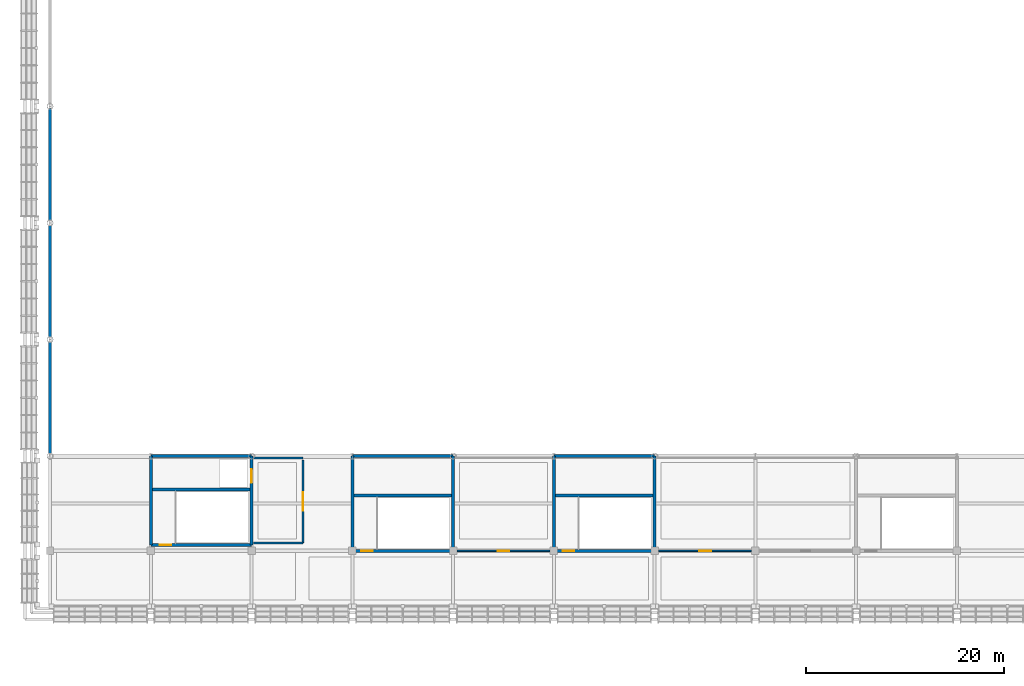
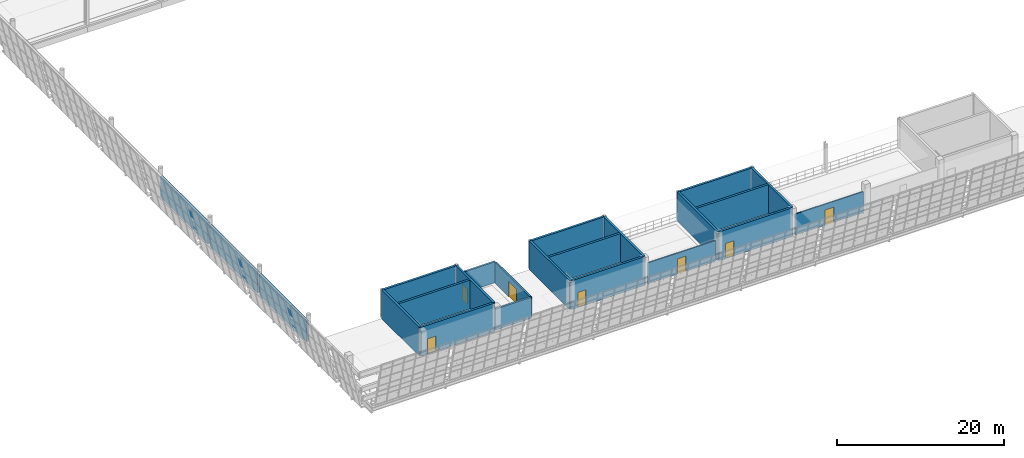
# One storey, part 124 of 157: 23 walls, 7 doors, 7 openings.
"""IFC4 building model written with IfcOpenShell, lengths in metres."""

from ifc_helpers import new_model, si_unit, direction, frame, frame_2d, origin, place, context, subcontext, project, spatial, rectangle, extrude, material, layer, layer_set, type_object, element, fill, save


model = new_model("IFC4")

# Units and contexts
model_context = context("Model", 3, precision=1e-05, world=origin(), true_north=direction((0.0, 1.0)))
body_context = subcontext(model_context, "Body", "Model", "MODEL_VIEW")
ifc_project = project(units=[si_unit("LENGTHUNIT", "METRE"), si_unit("AREAUNIT", "SQUARE_METRE"), si_unit("VOLUMEUNIT", "CUBIC_METRE"), si_unit("PLANEANGLEUNIT", "RADIAN"), si_unit("MASSUNIT", "GRAM", prefix="KILO")], contexts=[model_context])

# Site, building, storey
site_placement = place(None, origin())
site = spatial("IfcSite", under=ifc_project, at=site_placement, CompositionType="ELEMENT")
building_placement = place(site_placement, origin())
building = spatial("IfcBuilding", under=site, at=building_placement, Name="Brelvane Convention Centre", CompositionType="ELEMENT")
storey_placement = place(building_placement, frame((0.0, 0.0, 10.800048828125)))
storey = spatial("IfcBuildingStorey", under=building, at=storey_placement, Name="L02", CompositionType="ELEMENT", Elevation=10.800048828125)

# Walls
ifc_material_1 = material(Name="Concrete M40", Category="concrete")
ifc_layer_1 = layer(ifc_material_1, 0.2900390625)
ifc_layer_set_1 = layer_set([ifc_layer_1], Name="Concrete M40")
wall_type_1 = type_object("IfcWallType", Name="Exterior Wall EW-08", PredefinedType="SOLIDWALL", material=ifc_layer_set_1)
wall_1_placement = place(storey_placement, frame((0.0, 29.0400390625, 0.0), z_axis=(0.0, 0.0, 1.0), x_axis=(0.0, 1.0, 0.0)))
element("IfcWall", 1, at=wall_1_placement, inside=storey, type_object=wall_type_1, Name="Exterior Wall L02 V1W-L02-1", PredefinedType="SOLIDWALL", context=body_context, shape_type="SweptSolid", body=[
    extrude(rectangle(XDim=11.320068359375, YDim=0.2900390625, at=frame_2d((5.66015625, 0.0))), origin(), (0.0, 0.0, 1.0), 3.06005859375),
])
wall_2_placement = place(storey_placement, frame((0.0, 40.840087890625, 0.0), z_axis=(0.0, 0.0, 1.0), x_axis=(0.0, 1.0, 0.0)))
element("IfcWall", 2, at=wall_2_placement, inside=storey, type_object=wall_type_1, Name="Exterior Wall L02 V1W-L02-2", PredefinedType="SOLIDWALL", context=body_context, shape_type="SweptSolid", body=[
    extrude(rectangle(XDim=11.31982421875, YDim=0.2900390625, at=frame_2d((5.659912109375, 0.0))), origin(), (0.0, 0.0, 1.0), 3.06005859375),
])
wall_3_placement = place(storey_placement, frame((0.0, 52.639892578125, 0.0), z_axis=(0.0, 0.0, 1.0), x_axis=(0.0, 1.0, 0.0)))
element("IfcWall", 3, at=wall_3_placement, inside=storey, type_object=wall_type_1, Name="Exterior Wall L02 V1W-L02-3", PredefinedType="SOLIDWALL", context=body_context, shape_type="SweptSolid", body=[
    extrude(rectangle(XDim=11.320068359375, YDim=0.2900390625, at=frame_2d((5.66015625, 0.0))), origin(), (0.0, 0.0, 1.0), 3.06005859375),
])

# Wall, opening, door
ifc_material_2 = material(Name="Fire-Rated Acoustic Gypsum Partition Board Grade A")
ifc_layer_2 = layer(ifc_material_2, 0.14501953125)
ifc_layer_set_2 = layer_set([ifc_layer_2], Name="Fire-Rated Acoustic Gypsum Partition Board Grade A")
wall_type_2 = type_object("IfcWallType", Name="Interior Wall IW-AC-145", PredefinedType="PARTITIONING", material=ifc_layer_set_2)
wall_4_placement = place(storey_placement, frame((61.60009765625, 19.199951171875, 0.0), z_axis=(0.0, 0.0, 1.0), x_axis=(1.0, 0.0, 0.0)))
wall_4 = element("IfcWall", 4, at=wall_4_placement, inside=storey, type_object=wall_type_2, Name="Interior Partition L02-TVST", PredefinedType="PARTITIONING", context=body_context, shape_type="SweptSolid", body=[
    extrude(rectangle(XDim=9.39990234375, YDim=0.14501953125, at=frame_2d((4.699951171875, 0.0))), origin(), (0.0, 0.0, 1.0), 3.06005859375),
])
opening_1_placement = place(wall_4_placement, frame((4.090087890625, 0.0, 0.0)))
opening_1 = element("IfcOpeningElement", 5, at=opening_1_placement, cuts=wall_4, Name="Opening DR-IN-14R", PredefinedType="OPENING", context=body_context, shape_type="SweptSolid", body=[
    extrude(rectangle(XDim=1.219970703125, YDim=2.219970703125, at=frame_2d((0.60986328125, 1.10986328125))), frame((0.0, 0.08251953125, 0.0), z_axis=(0.0, -1.0, 0.0), x_axis=(1.0, 0.0, 0.0)), (0.0, 0.0, 1.0), 0.1650390625),
])
ifc_material_3 = material(Name="Galvanised Hollow-Metal Fire Door Steel E250", Category="steel")
door_type_1 = type_object("IfcDoorType", Name="Interior Door DR-IN-14R", OperationType="NOTDEFINED", PredefinedType="DOOR", material=ifc_material_3)
door_1_placement = place(opening_1_placement, origin())
door_1 = element("IfcDoor", 6, at=door_1_placement, inside=storey, type_object=door_type_1, Name="Interior Door L02-TVST (DR-IN-14R)", OperationType="SINGLE_SWING_RIGHT", OverallHeight=2.219970703125, OverallWidth=1.219970703125, PredefinedType="DOOR", context=body_context, shape_type="SweptSolid", body=[
    extrude(rectangle(XDim=1.219970703125, YDim=2.219970703125, at=frame_2d((0.60986328125, 1.10986328125))), frame((0.0, 0.02490234375, 0.0), z_axis=(0.0, -1.0, 0.0), x_axis=(1.0, 0.0, 0.0)), (0.0, 0.0, 1.0), 0.050048828125),
])
fill(opening_1, door_1)

ifc_material_4 = material(Name="Fire-Rated Acoustic Gypsum Partition Board Grade A")
ifc_layer_3 = layer(ifc_material_4, 0.155029296875)
ifc_layer_set_3 = layer_set([ifc_layer_3], Name="Fire-Rated Acoustic Gypsum Partition Board Grade A")
wall_type_3 = type_object("IfcWallType", Name="Interior Wall IW-AC-155", PredefinedType="PARTITIONING", material=ifc_layer_set_3)
wall_5_placement = place(storey_placement, frame((41.199951171875, 19.199951171875, 0.0), z_axis=(0.0, 0.0, 1.0), x_axis=(1.0, 0.0, 0.0)))
wall_5 = element("IfcWall", 7, at=wall_5_placement, inside=storey, type_object=wall_type_3, Name="Interior Partition L02-PRSW", PredefinedType="PARTITIONING", context=body_context, shape_type="SweptSolid", body=[
    extrude(rectangle(XDim=9.400146484375, YDim=0.155029296875, at=frame_2d((4.7001953125, 0.0))), origin(), (0.0, 0.0, 1.0), 3.06005859375),
])
opening_2_placement = place(wall_5_placement, frame((4.110107421875, 0.0, 0.0)))
opening_2 = element("IfcOpeningElement", 8, at=opening_2_placement, cuts=wall_5, Name="Opening DR-IN-14L", PredefinedType="OPENING", context=body_context, shape_type="SweptSolid", body=[
    extrude(rectangle(XDim=1.179931640625, YDim=2.219970703125, at=frame_2d((0.58984375, 1.10986328125))), frame((0.0, 0.08740234375, 0.0), z_axis=(0.0, -1.0, 0.0), x_axis=(1.0, 0.0, 0.0)), (0.0, 0.0, 1.0), 0.175048828125),
])
ifc_material_5 = material(Name="Galvanised Hollow-Metal Fire Door Steel E250", Category="steel")
door_type_2 = type_object("IfcDoorType", Name="Interior Door DR-IN-14L", OperationType="NOTDEFINED", PredefinedType="DOOR", material=ifc_material_5)
door_2_placement = place(opening_2_placement, origin())
door_2 = element("IfcDoor", 9, at=door_2_placement, inside=storey, type_object=door_type_2, Name="Interior Door L02-PRSW (DR-IN-14L)", OperationType="SINGLE_SWING_LEFT", OverallHeight=2.219970703125, OverallWidth=1.179931640625, PredefinedType="DOOR", context=body_context, shape_type="SweptSolid", body=[
    extrude(rectangle(XDim=1.179931640625, YDim=2.219970703125, at=frame_2d((0.58984375, 1.10986328125))), frame((0.0, 0.02490234375, 0.0), z_axis=(0.0, -1.0, 0.0), x_axis=(1.0, 0.0, 0.0)), (0.0, 0.0, 1.0), 0.050048828125),
])
fill(opening_2, door_2)

ifc_material_6 = material(Name="Concrete M40", Category="concrete")
ifc_layer_4 = layer(ifc_material_6, 0.239990234375)
ifc_layer_set_4 = layer_set([ifc_layer_4], Name="Concrete M40")
wall_type_4 = type_object("IfcWallType", Name="Interior Wall IW-FR-240", PredefinedType="PARTITIONING", material=ifc_layer_set_4)
wall_6_placement = place(storey_placement, frame((25.60009765625, 20.0, 0.0), z_axis=(0.0, 0.0, 1.0), x_axis=(0.0, 1.0, 0.0)))
wall_6 = element("IfcWall", 10, at=wall_6_placement, inside=storey, type_object=wall_type_4, Name="Firefighting Lobby C1 Wall E (L02)", PredefinedType="PARTITIONING", context=body_context, shape_type="SweptSolid", body=[
    extrude(rectangle(XDim=8.39990234375, YDim=0.239990234375, at=frame_2d((4.199951171875, 0.0))), origin(), (0.0, 0.0, 1.0), 3.06005859375),
])
opening_3_placement = place(wall_6_placement, frame((3.25, 0.0, 0.0)))
opening_3 = element("IfcOpeningElement", 11, at=opening_3_placement, cuts=wall_6, Name="Opening DR-FL-01", PredefinedType="OPENING", context=body_context, shape_type="SweptSolid", body=[
    extrude(rectangle(XDim=1.89990234375, YDim=2.25, at=frame_2d((0.949951171875, 1.125))), frame((0.0, 0.1298828125, 0.0), z_axis=(0.0, -1.0, 0.0), x_axis=(1.0, 0.0, 0.0)), (0.0, 0.0, 1.0), 0.260009765625),
])
ifc_material_7 = material(Name="Galvanised Hollow-Metal Fire Door Steel E250", Category="steel")
door_type_3 = type_object("IfcDoorType", Name="Interior Door DR-FL-01", OperationType="NOTDEFINED", PredefinedType="DOOR", material=ifc_material_7)
door_3_placement = place(opening_3_placement, origin())
door_3 = element("IfcDoor", 12, at=door_3_placement, inside=storey, type_object=door_type_3, Name="Firefighting Lobby C1 Smoke Door (L02)", OperationType="DOUBLE_DOOR_SINGLE_SWING", OverallHeight=2.25, OverallWidth=1.89990234375, PredefinedType="DOOR", context=body_context, shape_type="SweptSolid", body=[
    extrude(rectangle(XDim=1.89990234375, YDim=2.25, at=frame_2d((0.949951171875, 1.125))), frame((0.0, 0.02490234375, 0.0), z_axis=(0.0, -1.0, 0.0), x_axis=(1.0, 0.0, 0.0)), (0.0, 0.0, 1.0), 0.050048828125),
])
fill(opening_3, door_3)

# Walls
for number, where, z_axis, x_axis, name in (
    (13, (20.60009765625, 28.60009765625, 0.0), (0.0, 0.0, 1.0), (1.0, 0.0, 0.0), "Firefighting Lobby C1 Wall N (L02)"),
    (14, (20.60009765625, 20.0, 0.0), (0.0, 0.0, 1.0), (1.0, 0.0, 0.0), "Firefighting Lobby C1 Wall S (L02)"),
):
    element("IfcWall", number, at=place(storey_placement, frame(where, z_axis=z_axis, x_axis=x_axis)), inside=storey, type_object=wall_type_4, Name=name, PredefinedType="PARTITIONING", context=body_context, shape_type="SweptSolid", body=[
        extrude(rectangle(XDim=5.0, YDim=0.239990234375, at=frame_2d((2.5, 0.0))), origin(), (0.0, 0.0, 1.0), 3.06005859375),
    ])

# Wall, opening, door
ifc_material_8 = material(Name="Concrete M50", Category="concrete")
ifc_layer_5 = layer(ifc_material_8, 0.300048828125)
ifc_layer_set_5 = layer_set([ifc_layer_5], Name="Concrete M50")
wall_type_5 = type_object("IfcWallType", Name="Structural Wall WL-CORE-300", PredefinedType="SHEAR", material=ifc_layer_set_5)
wall_7_placement = place(storey_placement, frame((10.199951171875, 19.800048828125, 0.0), z_axis=(0.0, 0.0, 1.0), x_axis=(1.0, 0.0, 0.0)))
wall_7 = element("IfcWall", 15, at=wall_7_placement, inside=storey, type_object=wall_type_5, Name="Core C1 Shear Wall S (L02)", PredefinedType="SHEAR", context=body_context, shape_type="SweptSolid", body=[
    extrude(rectangle(XDim=10.199951171875, YDim=0.300048828125, at=frame_2d((5.10009765625, 0.0))), origin(), (0.0, 0.0, 1.0), 4.199951171875),
])
opening_4_placement = place(wall_7_placement, frame((0.919921875, 0.0, 0.0)))
opening_4 = element("IfcOpeningElement", 16, at=opening_4_placement, cuts=wall_7, Name="Opening DR-IN-04L", PredefinedType="OPENING", context=body_context, shape_type="SweptSolid", body=[
    extrude(rectangle(XDim=1.159912109375, YDim=2.199951171875, at=frame_2d((0.580078125, 1.10009765625))), frame((0.0, 0.159912109375, 0.0), z_axis=(0.0, -1.0, 0.0), x_axis=(1.0, 0.0, 0.0)), (0.0, 0.0, 1.0), 0.320068359375),
])
ifc_material_9 = material(Name="Galvanised Hollow-Metal Fire Door Steel E250", Category="steel")
door_type_4 = type_object("IfcDoorType", Name="Interior Door DR-IN-04L", OperationType="NOTDEFINED", PredefinedType="DOOR", material=ifc_material_9)
door_4_placement = place(opening_4_placement, origin())
door_4 = element("IfcDoor", 17, at=door_4_placement, inside=storey, type_object=door_type_4, Name="Stair ST-01 Exit Door (L02)", OperationType="SINGLE_SWING_LEFT", OverallHeight=2.199951171875, OverallWidth=1.159912109375, PredefinedType="DOOR", context=body_context, shape_type="SweptSolid", body=[
    extrude(rectangle(XDim=1.159912109375, YDim=2.199951171875, at=frame_2d((0.580078125, 1.10009765625))), frame((0.0, 0.02490234375, 0.0), z_axis=(0.0, -1.0, 0.0), x_axis=(1.0, 0.0, 0.0)), (0.0, 0.0, 1.0), 0.050048828125),
])
fill(opening_4, door_4)

# Walls
wall_8_placement = place(storey_placement, frame((10.199951171875, 28.800048828125, 0.0), z_axis=(0.0, 0.0, 1.0), x_axis=(1.0, 0.0, 0.0)))
element("IfcWall", 18, at=wall_8_placement, inside=storey, type_object=wall_type_5, Name="Core C1 Shear Wall N (L02)", PredefinedType="SHEAR", context=body_context, shape_type="SweptSolid", body=[
    extrude(rectangle(XDim=10.199951171875, YDim=0.300048828125, at=frame_2d((5.10009765625, 0.0))), origin(), (0.0, 0.0, 1.0), 4.199951171875),
])
wall_9_placement = place(storey_placement, frame((10.199951171875, 19.800048828125, 0.0), z_axis=(0.0, 0.0, 1.0), x_axis=(0.0, 1.0, 0.0)))
element("IfcWall", 19, at=wall_9_placement, inside=storey, type_object=wall_type_5, Name="Core C1 Shear Wall W (L02)", PredefinedType="SHEAR", context=body_context, shape_type="SweptSolid", body=[
    extrude(rectangle(XDim=9.0, YDim=0.300048828125, at=frame_2d((4.5, 0.0))), origin(), (0.0, 0.0, 1.0), 4.199951171875),
])

# Wall, opening, door
wall_10_placement = place(storey_placement, frame((20.39990234375, 19.800048828125, 0.0), z_axis=(0.0, 0.0, 1.0), x_axis=(0.0, 1.0, 0.0)))
wall_10 = element("IfcWall", 20, at=wall_10_placement, inside=storey, type_object=wall_type_5, Name="Core C1 Shear Wall E (L02)", PredefinedType="SHEAR", context=body_context, shape_type="SweptSolid", body=[
    extrude(rectangle(XDim=9.0, YDim=0.300048828125, at=frame_2d((4.5, 0.0))), origin(), (0.0, 0.0, 1.0), 4.199951171875),
])
opening_5_placement = place(wall_10_placement, frame((6.300048828125, 0.0, 0.0)))
opening_5 = element("IfcOpeningElement", 21, at=opening_5_placement, cuts=wall_10, Name="Opening LD-03", PredefinedType="OPENING", context=body_context, shape_type="SweptSolid", body=[
    extrude(rectangle(XDim=1.35009765625, YDim=2.300048828125, at=frame_2d((0.675048828125, 1.14990234375))), frame((0.0, 0.159912109375, 0.0), z_axis=(0.0, -1.0, 0.0), x_axis=(1.0, 0.0, 0.0)), (0.0, 0.0, 1.0), 0.320068359375),
])
ifc_material_10 = material(Name="Galvanised Hollow-Metal Fire Door Steel E250", Category="steel")
door_type_5 = type_object("IfcDoorType", Name="Interior Door LD-03", OperationType="NOTDEFINED", PredefinedType="DOOR", material=ifc_material_10)
door_5_placement = place(opening_5_placement, origin())
door_5 = element("IfcDoor", 22, at=door_5_placement, inside=storey, type_object=door_type_5, Name="Lift LF-01 Landing Door (L02)", OperationType="DOUBLE_DOOR_SLIDING", OverallHeight=2.300048828125, OverallWidth=1.35009765625, PredefinedType="DOOR", context=body_context, shape_type="SweptSolid", body=[
    extrude(rectangle(XDim=1.35009765625, YDim=2.300048828125, at=frame_2d((0.675048828125, 1.14990234375))), frame((0.0, 0.02490234375, 0.0), z_axis=(0.0, -1.0, 0.0), x_axis=(1.0, 0.0, 0.0)), (0.0, 0.0, 1.0), 0.050048828125),
])
fill(opening_5, door_5)

# Wall
wall_11_placement = place(storey_placement, frame((10.35009765625, 25.39990234375, 0.0), z_axis=(0.0, 0.0, 1.0), x_axis=(1.0, 0.0, 0.0)))
element("IfcWall", 23, at=wall_11_placement, inside=storey, type_object=wall_type_5, Name="Core C1 Shaft Divider Wall (L02)", PredefinedType="SHEAR", context=body_context, shape_type="SweptSolid", body=[
    extrude(rectangle(XDim=9.89990234375, YDim=0.300048828125, at=frame_2d((4.949951171875, 0.0))), origin(), (0.0, 0.0, 1.0), 4.199951171875),
])

# Wall, opening, door
wall_12_placement = place(storey_placement, frame((51.0, 19.199951171875, 0.0), z_axis=(0.0, 0.0, 1.0), x_axis=(1.0, 0.0, 0.0)))
wall_12 = element("IfcWall", 24, at=wall_12_placement, inside=storey, type_object=wall_type_5, Name="Stair Core ST-09 Wall S (L02)", PredefinedType="SHEAR", context=body_context, shape_type="SweptSolid", body=[
    extrude(rectangle(XDim=10.199951171875, YDim=0.300048828125, at=frame_2d((5.10009765625, 0.0))), origin(), (0.0, 0.0, 1.0), 4.199951171875),
])
opening_6_placement = place(wall_12_placement, frame((0.919921875, 0.0, 0.0)))
opening_6 = element("IfcOpeningElement", 25, at=opening_6_placement, cuts=wall_12, Name="Opening DR-IN-04L", PredefinedType="OPENING", context=body_context, shape_type="SweptSolid", body=[
    extrude(rectangle(XDim=1.159912109375, YDim=2.199951171875, at=frame_2d((0.580078125, 1.10009765625))), frame((0.0, 0.159912109375, 0.0), z_axis=(0.0, -1.0, 0.0), x_axis=(1.0, 0.0, 0.0)), (0.0, 0.0, 1.0), 0.320068359375),
])
door_6_placement = place(opening_6_placement, origin())
door_6 = element("IfcDoor", 26, at=door_6_placement, inside=storey, type_object=door_type_4, Name="Stair ST-09 Entry Door (L02)", OperationType="SINGLE_SWING_LEFT", OverallHeight=2.199951171875, OverallWidth=1.159912109375, PredefinedType="DOOR", context=body_context, shape_type="SweptSolid", body=[
    extrude(rectangle(XDim=1.159912109375, YDim=2.199951171875, at=frame_2d((0.580078125, 1.10009765625))), frame((0.0, 0.02490234375, 0.0), z_axis=(0.0, -1.0, 0.0), x_axis=(1.0, 0.0, 0.0)), (0.0, 0.0, 1.0), 0.050048828125),
])
fill(opening_6, door_6)

# Walls
wall_13_placement = place(storey_placement, frame((51.0, 28.800048828125, 0.0), z_axis=(0.0, 0.0, 1.0), x_axis=(1.0, 0.0, 0.0)))
element("IfcWall", 27, at=wall_13_placement, inside=storey, type_object=wall_type_5, Name="Stair Core ST-09 Wall N (L02)", PredefinedType="SHEAR", context=body_context, shape_type="SweptSolid", body=[
    extrude(rectangle(XDim=10.199951171875, YDim=0.300048828125, at=frame_2d((5.10009765625, 0.0))), origin(), (0.0, 0.0, 1.0), 4.199951171875),
])
for number, where, z_axis, x_axis, name in (
    (28, (51.0, 19.199951171875, 0.0), (0.0, 0.0, 1.0), (0.0, 1.0, 0.0), "Stair Core ST-09 Wall W (L02)"),
    (29, (61.199951171875, 19.199951171875, 0.0), (0.0, 0.0, 1.0), (0.0, 1.0, 0.0), "Stair Core ST-09 Wall E (L02)"),
):
    element("IfcWall", number, at=place(storey_placement, frame(where, z_axis=z_axis, x_axis=x_axis)), inside=storey, type_object=wall_type_5, Name=name, PredefinedType="SHEAR", context=body_context, shape_type="SweptSolid", body=[
        extrude(rectangle(XDim=9.60009765625, YDim=0.300048828125, at=frame_2d((4.800048828125, 0.0))), origin(), (0.0, 0.0, 1.0), 4.199951171875),
    ])
wall_14_placement = place(storey_placement, frame((51.14990234375, 24.800048828125, 0.0), z_axis=(0.0, 0.0, 1.0), x_axis=(1.0, 0.0, 0.0)))
element("IfcWall", 30, at=wall_14_placement, inside=storey, type_object=wall_type_5, Name="Stair Core ST-09 Well Wall (L02)", PredefinedType="SHEAR", context=body_context, shape_type="SweptSolid", body=[
    extrude(rectangle(XDim=9.900146484375, YDim=0.300048828125, at=frame_2d((4.9501953125, 0.0))), origin(), (0.0, 0.0, 1.0), 4.199951171875),
])

# Wall, opening, door
wall_15_placement = place(storey_placement, frame((30.60009765625, 19.199951171875, 0.0), z_axis=(0.0, 0.0, 1.0), x_axis=(1.0, 0.0, 0.0)))
wall_15 = element("IfcWall", 31, at=wall_15_placement, inside=storey, type_object=wall_type_5, Name="Stair Core ST-19 Wall S (L02)", PredefinedType="SHEAR", context=body_context, shape_type="SweptSolid", body=[
    extrude(rectangle(XDim=10.199951171875, YDim=0.300048828125, at=frame_2d((5.10009765625, 0.0))), origin(), (0.0, 0.0, 1.0), 4.199951171875),
])
opening_7_placement = place(wall_15_placement, frame((0.919921875, 0.0, 0.0)))
opening_7 = element("IfcOpeningElement", 32, at=opening_7_placement, cuts=wall_15, Name="Opening DR-IN-04L", PredefinedType="OPENING", context=body_context, shape_type="SweptSolid", body=[
    extrude(rectangle(XDim=1.159912109375, YDim=2.199951171875, at=frame_2d((0.580078125, 1.10009765625))), frame((0.0, 0.159912109375, 0.0), z_axis=(0.0, -1.0, 0.0), x_axis=(1.0, 0.0, 0.0)), (0.0, 0.0, 1.0), 0.320068359375),
])
door_7_placement = place(opening_7_placement, origin())
door_7 = element("IfcDoor", 33, at=door_7_placement, inside=storey, type_object=door_type_4, Name="Stair ST-19 Entry Door (L02)", OperationType="SINGLE_SWING_LEFT", OverallHeight=2.199951171875, OverallWidth=1.159912109375, PredefinedType="DOOR", context=body_context, shape_type="SweptSolid", body=[
    extrude(rectangle(XDim=1.159912109375, YDim=2.199951171875, at=frame_2d((0.580078125, 1.10009765625))), frame((0.0, 0.02490234375, 0.0), z_axis=(0.0, -1.0, 0.0), x_axis=(1.0, 0.0, 0.0)), (0.0, 0.0, 1.0), 0.050048828125),
])
fill(opening_7, door_7)

# Walls
wall_16_placement = place(storey_placement, frame((30.60009765625, 28.800048828125, 0.0), z_axis=(0.0, 0.0, 1.0), x_axis=(1.0, 0.0, 0.0)))
element("IfcWall", 34, at=wall_16_placement, inside=storey, type_object=wall_type_5, Name="Stair Core ST-19 Wall N (L02)", PredefinedType="SHEAR", context=body_context, shape_type="SweptSolid", body=[
    extrude(rectangle(XDim=10.199951171875, YDim=0.300048828125, at=frame_2d((5.10009765625, 0.0))), origin(), (0.0, 0.0, 1.0), 4.199951171875),
])
for number, where, z_axis, x_axis, name in (
    (35, (30.60009765625, 19.199951171875, 0.0), (0.0, 0.0, 1.0), (0.0, 1.0, 0.0), "Stair Core ST-19 Wall W (L02)"),
    (36, (40.800048828125, 19.199951171875, 0.0), (0.0, 0.0, 1.0), (0.0, 1.0, 0.0), "Stair Core ST-19 Wall E (L02)"),
):
    element("IfcWall", number, at=place(storey_placement, frame(where, z_axis=z_axis, x_axis=x_axis)), inside=storey, type_object=wall_type_5, Name=name, PredefinedType="SHEAR", context=body_context, shape_type="SweptSolid", body=[
        extrude(rectangle(XDim=9.60009765625, YDim=0.300048828125, at=frame_2d((4.800048828125, 0.0))), origin(), (0.0, 0.0, 1.0), 4.199951171875),
    ])
wall_17_placement = place(storey_placement, frame((30.75, 24.800048828125, 0.0), z_axis=(0.0, 0.0, 1.0), x_axis=(1.0, 0.0, 0.0)))
element("IfcWall", 37, at=wall_17_placement, inside=storey, type_object=wall_type_5, Name="Stair Core ST-19 Well Wall (L02)", PredefinedType="SHEAR", context=body_context, shape_type="SweptSolid", body=[
    extrude(rectangle(XDim=9.89990234375, YDim=0.300048828125, at=frame_2d((4.949951171875, 0.0))), origin(), (0.0, 0.0, 1.0), 4.199951171875),
])

save(model, "model.ifc")
